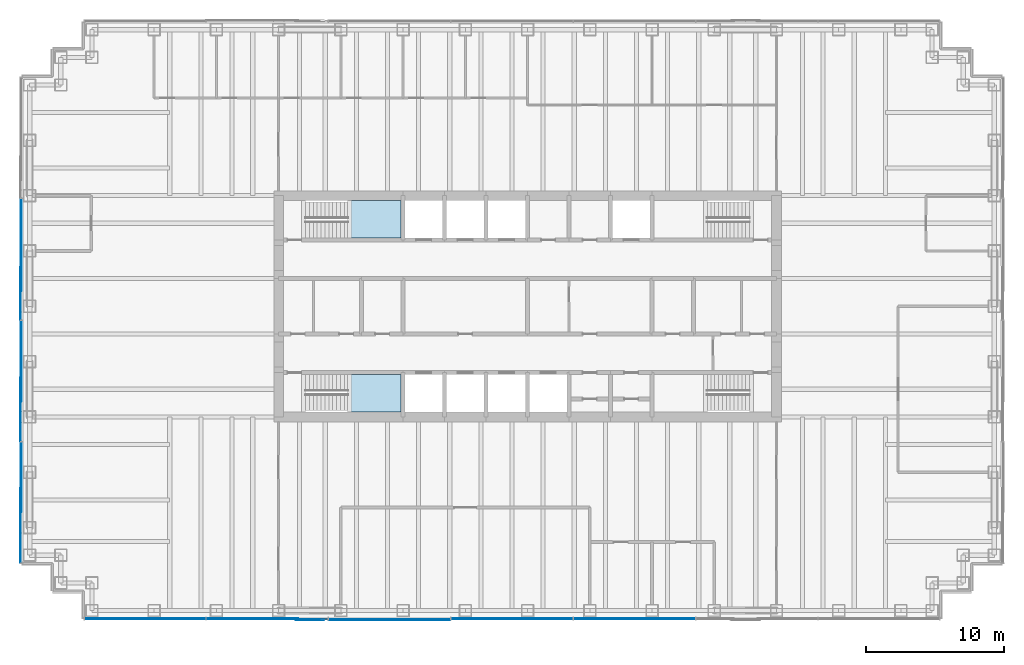
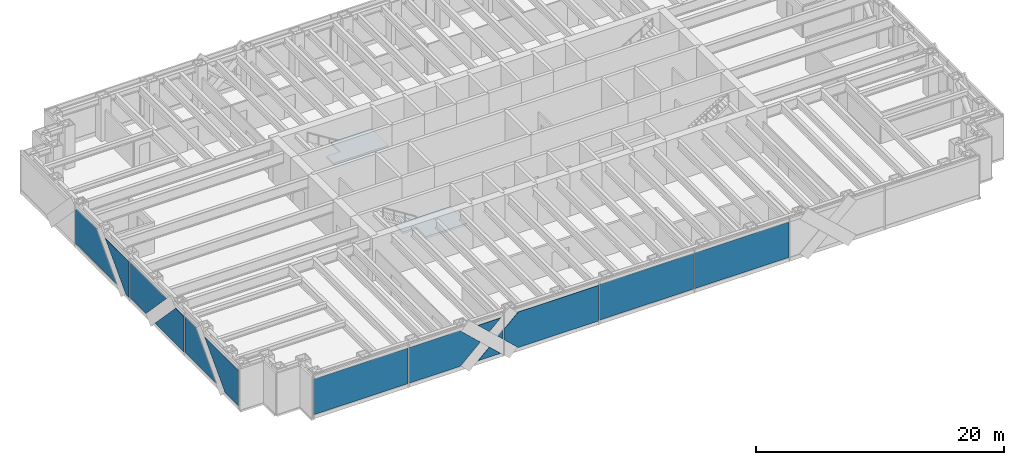
# One storey, part 10 of 17: 14 plates, 2 slabs, 4 elements without a shape of their own.
"""IFC4 building model written with IfcOpenShell, lengths in metres."""

import ifcopenshell
import ifcopenshell.guid

model = None  # the IFC model being written
_history = None  # IfcOwnerHistory: only IFC2X3 demands one
_inside = {}  # id of a spatial element -> (the spatial element, [elements in it])
_under = {}  # id of a project, library or spatial element -> (it, [spatial elements below it])
_declared = {}  # id of a project -> (the project, [libraries it declares])
_typed = {}  # id of a type object -> (the type object, [elements of that type])
_made_of = {}  # id of a material, layer set ... -> (it, [elements and type objects made of it])


def new_model(schema):
    """Start an empty IFC model of exactly this schema.

    Asked for "IFC4X3", IfcOpenShell would pick the latest addendum, in which some entities
    have other attributes; the version numbers below select the first issue.
    IFC2X3 requires an IfcOwnerHistory on every rooted entity: one is made here for all.
    """
    global model, _history
    if schema == "IFC4X3":
        model = ifcopenshell.file(schema_version=(4, 3, 0, 0))
    else:
        model = ifcopenshell.file(schema=schema)
    _inside.clear()
    _under.clear()
    _declared.clear()
    _typed.clear()
    _made_of.clear()
    _history = None
    if model.schema == "IFC2X3":
        org = make("IfcOrganization", Name="unknown")
        user = make(
            "IfcPersonAndOrganization",
            ThePerson=make("IfcPerson", FamilyName="unknown"),
            TheOrganization=org,
        )
        app = make(
            "IfcApplication",
            ApplicationDeveloper=org,
            Version="unknown",
            ApplicationFullName="unknown",
            ApplicationIdentifier="unknown",
        )
        _history = make(
            "IfcOwnerHistory",
            OwningUser=user,
            OwningApplication=app,
            ChangeAction="ADDED",
            CreationDate=0,
        )
    return model


def make(cls, **values):
    """One entity of the class cls with the attributes given. An attribute that is None is left unset."""
    return model.create_entity(
        cls, **{name: value for name, value in values.items() if value is not None}
    )


def rooted(cls, **values):
    """An entity with a GlobalId (a new one), such as an element, a storey or a relation."""
    return make(cls, GlobalId=ifcopenshell.guid.new(), OwnerHistory=_history, **values)


def si_unit(unit_type, name, prefix=None):
    """IfcSIUnit, for example si_unit("LENGTHUNIT", "METRE", prefix="MILLI")."""
    return make("IfcSIUnit", UnitType=unit_type, Prefix=prefix, Name=name)


def assignment(units):
    """IfcUnitAssignment: the units of a project."""
    return None if units is None else make("IfcUnitAssignment", Units=units)


def point(xyz):
    """IfcCartesianPoint."""
    return None if xyz is None else make("IfcCartesianPoint", Coordinates=xyz)


def direction(xyz):
    """IfcDirection."""
    return None if xyz is None else make("IfcDirection", DirectionRatios=xyz)


def frame(location, z_axis=None, x_axis=None):
    """IfcAxis2Placement3D, a coordinate frame: its origin and axes. An axis left out is left unset."""
    return make(
        "IfcAxis2Placement3D",
        Location=point(location),
        Axis=direction(z_axis),
        RefDirection=direction(x_axis),
    )


def frame_2d(location, x_axis=None):
    """IfcAxis2Placement2D, a coordinate frame in the plane: its origin and x axis."""
    return make(
        "IfcAxis2Placement2D", Location=point(location), RefDirection=direction(x_axis)
    )


def origin():
    """The frame at (0, 0, 0) with its axes left unset."""
    return frame((0.0, 0.0, 0.0))


def origin_2d():
    """The frame at (0, 0) in the plane with its x axis left unset."""
    return frame_2d((0.0, 0.0))


def place(relative_to, where):
    """IfcLocalPlacement: puts the frame where relative to a parent placement (None: the world)."""
    return make(
        "IfcLocalPlacement", PlacementRelTo=relative_to, RelativePlacement=where
    )


def context(
    kind, dimensions, precision=None, world=None, true_north=None, identifier=None
):
    """IfcGeometricRepresentationContext, for example the 3D "Model" context."""
    return make(
        "IfcGeometricRepresentationContext",
        ContextIdentifier=identifier,
        ContextType=kind,
        CoordinateSpaceDimension=dimensions,
        Precision=precision,
        WorldCoordinateSystem=world,
        TrueNorth=true_north,
    )


def subcontext(parent, identifier, kind, view, scale=None):
    """IfcGeometricRepresentationSubContext, for example "Body" below "Model"."""
    return make(
        "IfcGeometricRepresentationSubContext",
        ContextIdentifier=identifier,
        ContextType=kind,
        ParentContext=parent,
        TargetScale=scale,
        TargetView=view,
    )


def project(units=None, contexts=None):
    """IfcProject with its units and contexts."""
    return rooted(
        "IfcProject",
        Name="project",
        RepresentationContexts=contexts,
        UnitsInContext=assignment(units),
    )


def spatial(cls, under=None, at=None, **own):
    """A site, building, storey or space (cls), placed at a placement, below another one or the project."""
    s = rooted(cls, ObjectPlacement=at, **own)
    if under is not None:
        _under.setdefault(under.id(), (under, []))[1].append(s)
    return s


def polyline(points):
    """IfcPolyline through the points."""
    return make("IfcPolyline", Points=[point(p) for p in points])


def profile(cls, at=None, kind="AREA", **sizes):
    """A parametric profile (cls). Its sizes go by their IFC names, for example OverallWidth=200.0."""
    return make(cls, ProfileType=kind, Position=at, **sizes)


def rectangle(**sizes):
    """IfcRectangleProfileDef."""
    return profile("IfcRectangleProfileDef", **sizes)


def outline(outer, holes=None, kind="AREA"):
    """IfcArbitraryClosedProfileDef: a profile drawn as a closed curve; with holes, ...WithVoids."""
    if holes is None:
        return make("IfcArbitraryClosedProfileDef", ProfileType=kind, OuterCurve=outer)
    return make(
        "IfcArbitraryProfileDefWithVoids",
        ProfileType=kind,
        OuterCurve=outer,
        InnerCurves=holes,
    )


def extrude(swept, where, along, depth):
    """IfcExtrudedAreaSolid: the profile swept, set in the frame where, extruded along a direction by depth."""
    return make(
        "IfcExtrudedAreaSolid",
        SweptArea=swept,
        Position=where,
        ExtrudedDirection=direction(along),
        Depth=depth,
    )


def shape(context_of_items, identifier, shape_type, items):
    """IfcShapeRepresentation: the items that make up one representation, for example the "Body"."""
    return make(
        "IfcShapeRepresentation",
        ContextOfItems=context_of_items,
        RepresentationIdentifier=identifier,
        RepresentationType=shape_type,
        Items=items,
    )


def material(Name=None, Category=None):
    """IfcMaterial."""
    return make("IfcMaterial", Name=Name, Category=Category)


def layer(
    of_material, thickness, ventilated=None, Name=None, Category=None, Priority=None
):
    """IfcMaterialLayer: one layer of a wall or slab, of a material (None: an air gap)."""
    return make(
        "IfcMaterialLayer",
        Material=of_material,
        LayerThickness=thickness,
        IsVentilated=ventilated,
        Name=Name,
        Category=Category,
        Priority=Priority,
    )


def layer_set(layers, Name=None):
    """IfcMaterialLayerSet."""
    return make("IfcMaterialLayerSet", MaterialLayers=layers, LayerSetName=Name)


def made_of(thing, what):
    """Note that an element or type object is made of a material, layer set ...; save() writes the relation."""
    if what is not None:
        _made_of.setdefault(what.id(), (what, []))[1].append(thing)
    return thing


def type_object(cls, material=None, **own):
    """A type object (cls), such as IfcWallType, which elements share."""
    return made_of(rooted(cls, **own), material)


def element(
    cls,
    number,
    at=None,
    inside=None,
    cuts=None,
    type_object=None,
    material=None,
    context=None,
    identifier="Body",
    shape_type=None,
    held_by="IfcProductDefinitionShape",
    body=None,
    shapes=None,
    **own,
):
    """One element of the class cls, such as IfcWall. Its Tag is "e" and its number.

    at: its placement. inside: the storey or other place that contains it. cuts: it is an
    opening in that element (IfcRelVoidsElement). A single representation is given by context,
    identifier, shape_type and body (its items); several are given by shapes. held_by: the class
    of the entity that holds the representations. save() writes the other relations.
    """
    e = rooted(cls, Tag="e%d" % number, ObjectPlacement=at, **own)
    if body is not None:
        shapes = [shape(context, identifier, shape_type, body)]
    if shapes is not None:
        e.Representation = make(held_by, Representations=shapes)
    if inside is not None:
        _inside.setdefault(inside.id(), (inside, []))[1].append(e)
    if cuts is not None:
        rooted(
            "IfcRelVoidsElement", RelatingBuildingElement=cuts, RelatedOpeningElement=e
        )
    if type_object is not None:
        _typed.setdefault(type_object.id(), (type_object, []))[1].append(e)
    return made_of(e, material)


def aggregate(whole, parts):
    """IfcRelAggregates: a whole, such as a stair, and the parts it consists of."""
    return rooted("IfcRelAggregates", RelatingObject=whole, RelatedObjects=parts)


def save(model, path):
    """Write the relations noted so far, then the file.

    IfcRelAggregates (storeys below a building ...), IfcRelContainedInSpatialStructure (elements
    in a storey), IfcRelDefinesByType, IfcRelAssociatesMaterial and IfcRelDeclares: one each for
    every whole, place, type object, material and project.
    """
    for whole, parts in _under.values():
        aggregate(whole, parts)
    for where, things in _inside.values():
        rooted(
            "IfcRelContainedInSpatialStructure",
            RelatedElements=things,
            RelatingStructure=where,
        )
    for kind, things in _typed.values():
        rooted("IfcRelDefinesByType", RelatedObjects=things, RelatingType=kind)
    for what, things in _made_of.values():
        rooted("IfcRelAssociatesMaterial", RelatedObjects=things, RelatingMaterial=what)
    for by, libraries in _declared.values():
        rooted("IfcRelDeclares", RelatingContext=by, RelatedDefinitions=libraries)
    model.write(path)


model = new_model("IFC4")

# Units and contexts
model_context = context("Model", 3, precision=1e-05, world=origin(), true_north=direction((0.0, 1.0)))
body_context = subcontext(model_context, "Body", "Model", "MODEL_VIEW")
ifc_project = project(units=[si_unit("LENGTHUNIT", "METRE"), si_unit("AREAUNIT", "SQUARE_METRE"), si_unit("VOLUMEUNIT", "CUBIC_METRE"), si_unit("PLANEANGLEUNIT", "RADIAN"), si_unit("MASSUNIT", "GRAM", prefix="KILO")], contexts=[model_context])

# Site, building, storey
site_placement = place(None, origin())
site = spatial("IfcSite", under=ifc_project, at=site_placement, CompositionType="ELEMENT")
building_placement = place(site_placement, origin())
building = spatial("IfcBuilding", under=site, at=building_placement, Name="Rheinbord Bourse Tower", CompositionType="ELEMENT")
storey_placement = place(building_placement, frame((0.0, 0.0, 317.300048828125)))
storey = spatial("IfcBuildingStorey", under=building, at=storey_placement, Name="L72", CompositionType="ELEMENT", Elevation=317.300048828125)

# Curtain wall, plates
ifc_material_1 = material(Name="Dark glass and black aluminium", Category="aluminium")
curtain_wall_type = type_object("IfcCurtainWallType", Name="CW3 DARK GLASS CURTAIN WALL", PredefinedType="USERDEFINED", material=ifc_material_1)
curtain_wall_1_placement = place(storey_placement, origin())
curtain_wall_1 = element("IfcCurtainWall", 1, at=curtain_wall_1_placement, inside=storey, type_object=curtain_wall_type, Name="Curtain wall CW3 S L72", ObjectType="UNITISED CURTAIN WALL", PredefinedType="USERDEFINED")
ifc_material_2 = material(Name="Dark tinted triple insulating glass", Category="glass")
ifc_layer_1 = layer(ifc_material_2, 0.055908203125)
ifc_layer_set_1 = layer_set([ifc_layer_1], Name="CW3 DARK GLASS PANEL")
plate_type = type_object("IfcPlateType", Name="CW3 DARK GLASS PANEL", PredefinedType="CURTAIN_PANEL", material=ifc_layer_set_1)
plate_1_placement = place(storey_placement, frame((8.34130859375, 1.39990234375, 0.349853515625), z_axis=(0.0, 0.0, 1.0), x_axis=(1.0, 0.0, 0.0)))
plate_1 = element("IfcPlate", 2, at=plate_1_placement, type_object=plate_type, Name="CW3 panel 1.1", PredefinedType="CURTAIN_PANEL", context=body_context, shape_type="SweptSolid", body=[
    extrude(rectangle(XDim=8.75244140625, YDim=0.055908203125, at=origin_2d()), origin(), (0.0, 0.0, 1.0), 3.5),
])
plate_2_placement = place(storey_placement, frame((34.875, 1.39990234375, 0.349853515625), z_axis=(0.0, 0.0, 1.0), x_axis=(1.0, 0.0, 0.0)))
plate_2 = element("IfcPlate", 3, at=plate_2_placement, type_object=plate_type, Name="CW3 panel 4.1", PredefinedType="CURTAIN_PANEL", context=body_context, shape_type="SweptSolid", body=[
    extrude(rectangle(XDim=8.784912109375, YDim=0.055908203125, at=origin_2d()), origin(), (0.0, 0.0, 1.0), 3.5),
])
plate_3_placement = place(storey_placement, frame((43.72509765625, 1.39990234375, 0.349853515625), z_axis=(0.0, 0.0, 1.0), x_axis=(1.0, 0.0, 0.0)))
plate_3 = element("IfcPlate", 4, at=plate_3_placement, type_object=plate_type, Name="CW3 panel 5.1", PredefinedType="CURTAIN_PANEL", context=body_context, shape_type="SweptSolid", body=[
    extrude(rectangle(XDim=8.784912109375, YDim=0.055908203125, at=origin_2d()), origin(), (0.0, 0.0, 1.0), 3.5),
])
plate_4_placement = place(storey_placement, frame((12.782958984375, 1.3720703125, 0.349853515625), z_axis=(0.0, 1.0, 0.0), x_axis=(0.0, 0.0, 1.0)))
plate_4 = element("IfcPlate", 5, at=plate_4_placement, type_object=plate_type, Name="CW3 glass facet 1", PredefinedType="CURTAIN_PANEL", context=body_context, shape_type="SweptSolid", body=[
    extrude(outline(polyline([(0.0, 0.0), (3.5, 0.0), (3.5, 4.780029296875), (1.75, 6.655029296875), (0.0, 4.780029296875), (0.0, 0.0)])), origin(), (0.0, 0.0, 1.0), 0.055908203125),
])
plate_5_placement = place(storey_placement, frame((19.18701171875, 1.31103515625, 0.349853515625), z_axis=(0.0, 1.0, 0.0), x_axis=(0.731032934472, 0.0, 0.682342178616)))
plate_5 = element("IfcPlate", 6, at=plate_5_placement, type_object=plate_type, Name="CW3 glass facet 2", PredefinedType="CURTAIN_PANEL", context=body_context, shape_type="SweptSolid", body=[
    extrude(outline(polyline([(0.0, 0.0), (1.4541015625, 0.0), (1.55419921875, 1.45068359375), (0.0, 0.0)])), origin(), (0.0, 0.0, 1.0), 0.055908203125),
])
plate_6_placement = place(storey_placement, frame((21.31298828125, 1.31103515625, 3.849853515625), z_axis=(0.0, 1.0, 0.0), x_axis=(-0.731116689111, 0.0, -0.682252436348)))
plate_6 = element("IfcPlate", 7, at=plate_6_placement, type_object=plate_type, Name="CW3 glass facet 3", PredefinedType="CURTAIN_PANEL", context=body_context, shape_type="SweptSolid", body=[
    extrude(outline(polyline([(0.0, 0.0), (1.453857421875, 0.0), (1.554443359375, 1.450439453125), (0.0, 0.0)])), origin(), (0.0, 0.0, 1.0), 0.055908203125),
])
plate_7_placement = place(storey_placement, frame((21.56689453125, 1.3720703125, 1.6279296875), z_axis=(0.0, 1.0, 0.0), x_axis=(-0.730549925572, 0.0, 0.682859287297)))
plate_7 = element("IfcPlate", 8, at=plate_7_placement, type_object=plate_type, Name="CW3 glass facet 4", PredefinedType="CURTAIN_PANEL", context=body_context, shape_type="SweptSolid", body=[
    extrude(outline(polyline([(0.0, 0.0), (0.691162109375, 0.0), (0.644775390625, 0.689697265625), (0.0, 0.0)])), origin(), (0.0, 0.0, 1.0), 0.055908203125),
])
plate_8_placement = place(storey_placement, frame((30.4169921875, 1.31103515625, 3.849853515625), z_axis=(0.0, 1.0, 0.0), x_axis=(0.0, 0.0, -1.0)))
plate_8 = element("IfcPlate", 9, at=plate_8_placement, type_object=plate_type, Name="CW3 glass facet 1", PredefinedType="CURTAIN_PANEL", context=body_context, shape_type="SweptSolid", body=[
    extrude(outline(polyline([(0.0, 0.0), (3.5, 0.0), (3.5, 7.47998046875), (2.282958984375, 8.783935546875), (1.216796875, 8.783935546875), (0.0, 7.47998046875), (0.0, 0.0)])), origin(), (0.0, 0.0, 1.0), 0.055908203125),
])
aggregate(curtain_wall_1, [plate_1, plate_2, plate_3, plate_4, plate_5, plate_6, plate_7, plate_8])

curtain_wall_2_placement = place(storey_placement, origin())
curtain_wall_2 = element("IfcCurtainWall", 10, at=curtain_wall_2_placement, inside=storey, type_object=curtain_wall_type, Name="Curtain wall CW3 W L72", ObjectType="UNITISED CURTAIN WALL", PredefinedType="USERDEFINED")
plate_9_placement = place(storey_placement, frame((-0.6279296875, 31.76708984375, 0.349853515625), z_axis=(1.0, 0.0, 0.0), x_axis=(0.0, 0.0, 1.0)))
plate_9 = element("IfcPlate", 11, at=plate_9_placement, type_object=plate_type, Name="CW3 glass facet 1", PredefinedType="CURTAIN_PANEL", context=body_context, shape_type="SweptSolid", body=[
    extrude(outline(polyline([(0.0, 0.0), (3.291015625, 0.0), (3.5, 0.198974609375), (3.5, 3.335205078125), (0.0, 6.669189453125), (0.0, 0.0)])), origin(), (0.0, 0.0, 1.0), 0.055908203125),
])
plate_10_placement = place(storey_placement, frame((-0.68896484375, 23.031982421875, 3.849853515625), z_axis=(1.0, 0.0, 0.0), x_axis=(0.0, 0.0, -1.0)))
plate_10 = element("IfcPlate", 12, at=plate_10_placement, type_object=plate_type, Name="CW3 glass facet 2", PredefinedType="CURTAIN_PANEL", context=body_context, shape_type="SweptSolid", body=[
    extrude(outline(polyline([(0.0, 0.0), (3.5, 0.0), (3.5, 0.5361328125), (0.0, 3.8701171875), (0.0, 0.0)])), origin(), (0.0, 0.0, 1.0), 0.055908203125),
])
plate_11_placement = place(storey_placement, frame((-0.6279296875, 22.968017578125, 0.349853515625), z_axis=(1.0, 0.0, 0.0), x_axis=(0.0, 0.0, 1.0)))
plate_11 = element("IfcPlate", 13, at=plate_11_placement, type_object=plate_type, Name="CW3 glass facet 1", PredefinedType="CURTAIN_PANEL", context=body_context, shape_type="SweptSolid", body=[
    extrude(outline(polyline([(0.0, 0.0), (3.5, 0.0), (3.5, 5.8701171875), (0.0, 2.5361328125), (0.0, 0.0)])), origin(), (0.0, 0.0, 1.0), 0.055908203125),
])
plate_12_placement = place(storey_placement, frame((-0.68896484375, 14.23291015625, 3.849853515625), z_axis=(1.0, 0.0, 0.0), x_axis=(0.0, 0.0, -1.0)))
plate_12 = element("IfcPlate", 14, at=plate_12_placement, type_object=plate_type, Name="CW3 glass facet 2", PredefinedType="CURTAIN_PANEL", context=body_context, shape_type="SweptSolid", body=[
    extrude(outline(polyline([(0.0, 0.0), (3.5, 0.0), (3.5, 4.669189453125), (0.0, 1.335205078125), (0.0, 0.0)])), origin(), (0.0, 0.0, 1.0), 0.055908203125),
])
plate_13_placement = place(storey_placement, frame((-0.6279296875, 14.1669921875, 0.349853515625), z_axis=(1.0, 0.0, 0.0), x_axis=(0.0, 0.0, 1.0)))
plate_13 = element("IfcPlate", 15, at=plate_13_placement, type_object=plate_type, Name="CW3 glass facet 1", PredefinedType="CURTAIN_PANEL", context=body_context, shape_type="SweptSolid", body=[
    extrude(outline(polyline([(0.0, 0.0), (3.5, 0.0), (3.5, 1.735107421875), (0.0, 5.069091796875), (0.0, 0.0)])), origin(), (0.0, 0.0, 1.0), 0.055908203125),
])
plate_14_placement = place(storey_placement, frame((-0.68896484375, 5.465087890625, 3.849853515625), z_axis=(1.0, 0.0, 0.0), x_axis=(0.0, 0.0, -1.0)))
plate_14 = element("IfcPlate", 16, at=plate_14_placement, type_object=plate_type, Name="CW3 glass facet 2", PredefinedType="CURTAIN_PANEL", context=body_context, shape_type="SweptSolid", body=[
    extrude(outline(polyline([(0.0, 0.0), (3.5, 0.0), (3.5, 2.10302734375), (0.0, 5.43701171875), (0.0, 0.0)])), origin(), (0.0, 0.0, 1.0), 0.055908203125),
])
aggregate(curtain_wall_2, [plate_9, plate_10, plate_11, plate_12, plate_13, plate_14])

# Stair, slab
ifc_material_3 = material(Name="Concrete C30/37", Category="concrete")
stair_type = type_object("IfcStairType", Name="CORE STAIR HALF TURN 4200", PredefinedType="HALF_TURN_STAIR", material=ifc_material_3)
stair_1_placement = place(storey_placement, origin())
stair_1 = element("IfcStair", 17, at=stair_1_placement, inside=storey, type_object=stair_type, Name="Stair ST1 L72, type CS6", PredefinedType="HALF_TURN_STAIR")
ifc_material_4 = material(Name="Concrete C30/37", Category="concrete")
ifc_layer_2 = layer(ifc_material_4, 0.199951171875)
ifc_layer_set_2 = layer_set([ifc_layer_2], Name="STAIR LANDING 200")
slab_type = type_object("IfcSlabType", Name="STAIR LANDING 200", PredefinedType="LANDING", material=ifc_layer_set_2)
slab_1_placement = place(storey_placement, frame((0.0, 0.0, 1.89990234375)))
slab_1 = element("IfcSlab", 18, at=slab_1_placement, type_object=slab_type, Name="Half landing ST1 L72", PredefinedType="LANDING", context=body_context, shape_type="SweptSolid", body=[
    extrude(outline(polyline([(23.030029296875, 16.35009765625), (26.85009765625, 16.35009765625), (26.85009765625, 19.050048828125), (21.748046875, 19.050048828125), (21.748046875, 17.85009765625), (23.030029296875, 17.85009765625), (23.030029296875, 16.35009765625)])), origin(), (0.0, 0.0, 1.0), 0.199951171875),
])
aggregate(stair_1, [slab_1])

stair_2_placement = place(storey_placement, origin())
stair_2 = element("IfcStair", 19, at=stair_2_placement, inside=storey, type_object=stair_type, Name="Stair ST2 L72, type CS6", PredefinedType="HALF_TURN_STAIR")
slab_2_placement = place(storey_placement, frame((0.0, 0.0, 1.89990234375)))
slab_2 = element("IfcSlab", 20, at=slab_2_placement, type_object=slab_type, Name="Half landing ST2 L72", PredefinedType="LANDING", context=body_context, shape_type="SweptSolid", body=[
    extrude(outline(polyline([(21.748046875, 28.949951171875), (26.85009765625, 28.949951171875), (26.85009765625, 31.64990234375), (23.030029296875, 31.64990234375), (23.030029296875, 30.14990234375), (21.748046875, 30.14990234375), (21.748046875, 28.949951171875)])), origin(), (0.0, 0.0, 1.0), 0.199951171875),
])
aggregate(stair_2, [slab_2])

save(model, "model.ifc")
